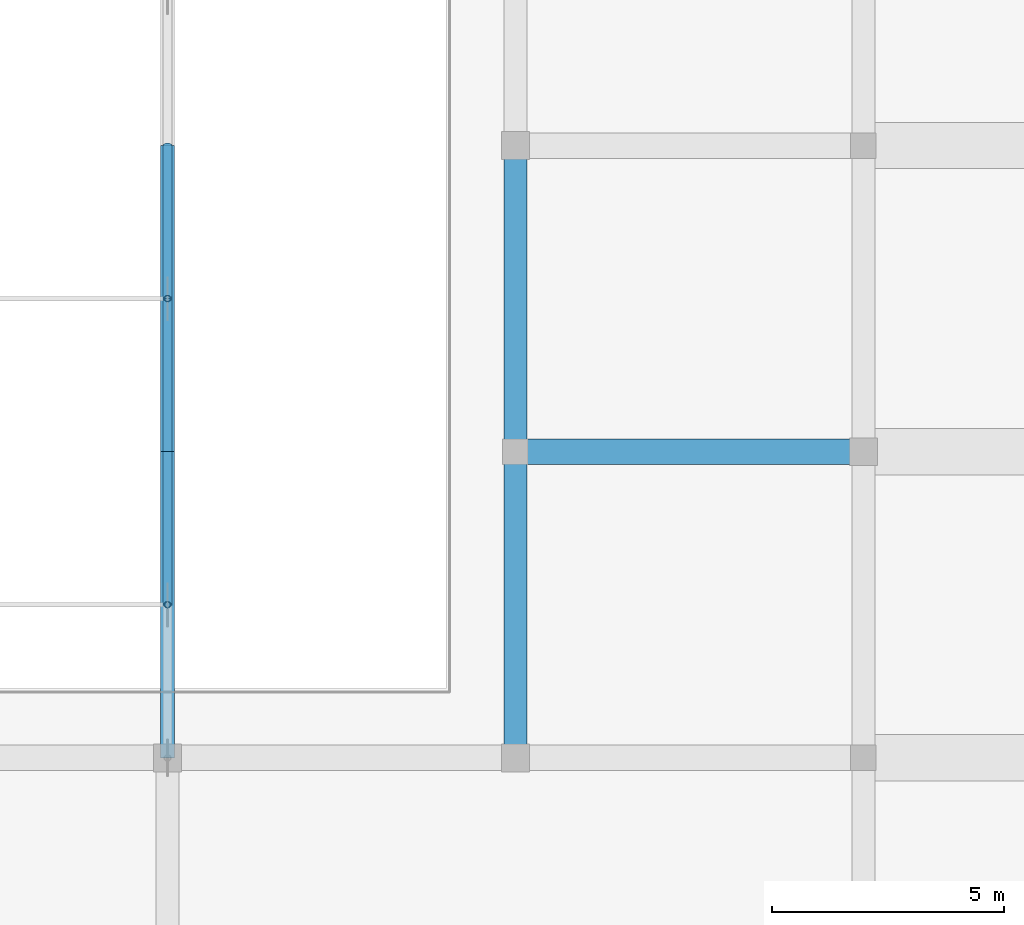
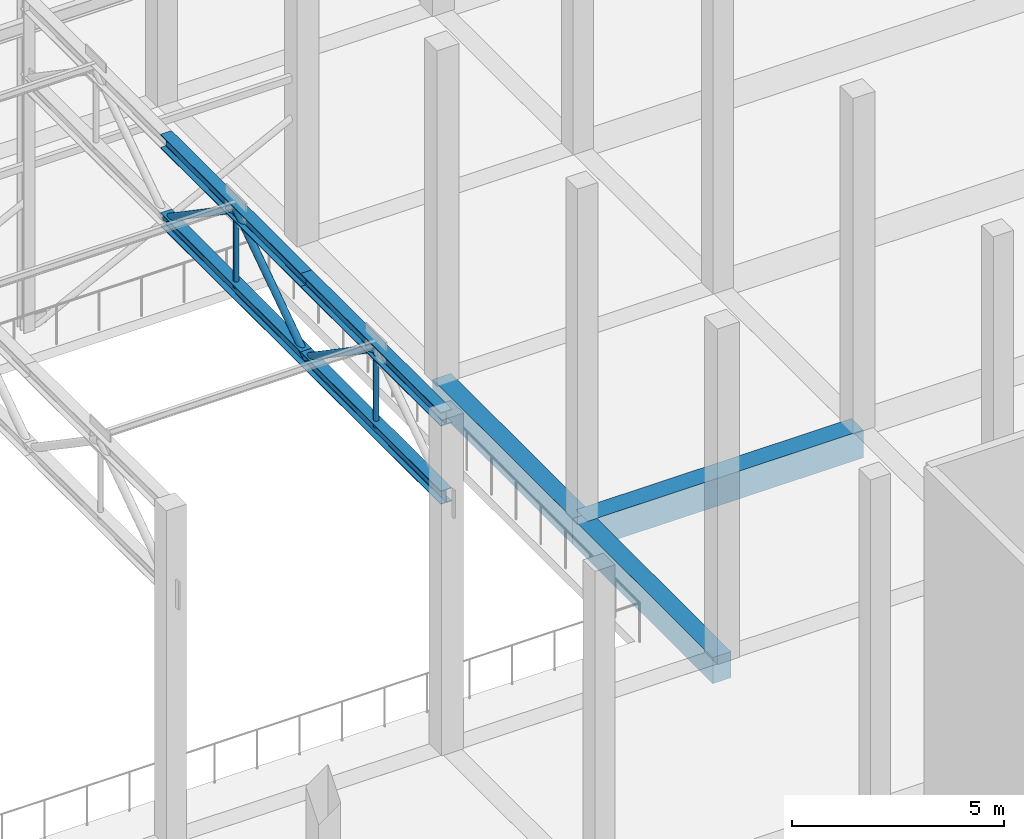
# One storey, part 44 of 80: 9 members, 3 beams.
"""IFC4 building model written with IfcOpenShell, lengths in metres."""

from ifc_helpers import new_model, si_unit, direction, frame, origin, origin_2d, place, context, subcontext, project, spatial, rectangle, hollow_circle, i_section, extrude, material, material_profile, profile_set, type_object, element, save


model = new_model("IFC4")

# Units and contexts
model_context = context("Model", 3, precision=1e-05, world=origin(), true_north=direction((0.0, 1.0)))
body_context = subcontext(model_context, "Body", "Model", "MODEL_VIEW")
ifc_project = project(units=[si_unit("LENGTHUNIT", "METRE"), si_unit("AREAUNIT", "SQUARE_METRE"), si_unit("VOLUMEUNIT", "CUBIC_METRE"), si_unit("PLANEANGLEUNIT", "RADIAN"), si_unit("MASSUNIT", "GRAM", prefix="KILO")], contexts=[model_context])

# Site, building, storey
site_placement = place(None, origin())
site = spatial("IfcSite", under=ifc_project, at=site_placement, CompositionType="ELEMENT")
building_placement = place(site_placement, origin())
building = spatial("IfcBuilding", under=site, at=building_placement, Name="Akrevak Sports Hall", CompositionType="ELEMENT")
storey_placement = place(building_placement, frame((0.0, 0.0, 14.0)))
storey = spatial("IfcBuildingStorey", under=building, at=storey_placement, Name="L03", CompositionType="ELEMENT", Elevation=14.0)

# Beams
ifc_material_1 = material(Name="Concrete C40/50", Category="concrete")
ifc_material_profile_1 = material_profile(ifc_material_1, rectangle(XDim=0.5, YDim=0.75, at=origin_2d()), Name="BM 500x750", Category="concrete")
ifc_profile_set_1 = profile_set([ifc_material_profile_1], Name="Concrete C40/50")
beam_type_1 = type_object("IfcBeamType", Name="STR-BM-RC500x750", PredefinedType="BEAM", material=ifc_profile_set_1)
beam_1_placement = place(storey_placement, frame((138.0, 28.800048828125, -0.375), z_axis=(0.0, 1.0, 0.0), x_axis=(-1.0, 0.0, 0.0)))
element("IfcBeam", 1, at=beam_1_placement, inside=storey, type_object=beam_type_1, Name="Girder 19/E-F (L03)", PredefinedType="BEAM", context=body_context, shape_type="SweptSolid", body=[
    extrude(rectangle(XDim=0.5, YDim=0.75, at=origin_2d()), origin(), (0.0, 0.0, 1.0), 6.599853515625),
])
beam_2_placement = place(storey_placement, frame((138.0, 35.39990234375, -0.375), z_axis=(0.0, 1.0, 0.0), x_axis=(-1.0, 0.0, 0.0)))
element("IfcBeam", 2, at=beam_2_placement, inside=storey, type_object=beam_type_1, Name="Girder 19/F-G (L03)", PredefinedType="BEAM", context=body_context, shape_type="SweptSolid", body=[
    extrude(rectangle(XDim=0.5, YDim=0.75, at=origin_2d()), origin(), (0.0, 0.0, 1.0), 6.60009765625),
])
ifc_material_profile_2 = material_profile(ifc_material_1, rectangle(XDim=0.550048828125, YDim=0.800048828125, at=origin_2d()), Name="BM 550x800", Category="concrete")
ifc_profile_set_2 = profile_set([ifc_material_profile_2], Name="Concrete C40/50")
beam_type_2 = type_object("IfcBeamType", Name="STR-BM-RC550x800", PredefinedType="BEAM", material=ifc_profile_set_2)
beam_3_placement = place(storey_placement, frame((138.0, 35.39990234375, -0.39990234375), z_axis=(1.0, 0.0, 0.0), x_axis=(0.0, 1.0, 0.0)))
element("IfcBeam", 3, at=beam_3_placement, inside=storey, type_object=beam_type_2, Name="Girder F/19-20 (L03)", PredefinedType="BEAM", context=body_context, shape_type="SweptSolid", body=[
    extrude(rectangle(XDim=0.550048828125, YDim=0.800048828125, at=origin_2d()), origin(), (0.0, 0.0, 1.0), 7.5),
])

# Members
ifc_material_2 = material(Name="Steel S355", Category="steel")
ifc_material_profile_3 = material_profile(ifc_material_2, hollow_circle(Radius=0.06982421875, WallThickness=0.008056640625, at=origin_2d()), Name="CHS 139.7x8", Category="steel")
ifc_profile_set_3 = profile_set([ifc_material_profile_3], Name="Steel S355")
member_type_1 = type_object("IfcMemberType", Name="STR-MEM-BRACE-CHS139", PredefinedType="BRACE", material=ifc_profile_set_3)
for number, where, z_axis, x_axis, name in (
    (4, (130.5, 32.10009765625, 7.18994140625), (0.0, 0.0, 1.0), (1.0, 0.0, 0.0), "Roof Truss 4 Web Post 1"),
    (5, (130.5, 38.699951171875, 7.18994140625), (0.0, 0.0, 1.0), (1.0, 0.0, 0.0), "Roof Truss 4 Web Post 2"),
):
    element("IfcMember", number, at=place(storey_placement, frame(where, z_axis=z_axis, x_axis=x_axis)), inside=storey, type_object=member_type_1, Name=name, PredefinedType="BRACE", context=body_context, shape_type="SweptSolid", body=[
        extrude(hollow_circle(Radius=0.06982421875, WallThickness=0.008056640625, at=origin_2d()), origin(), (0.0, 0.0, 1.0), 2.25),
    ])
ifc_material_profile_4 = material_profile(ifc_material_2, hollow_circle(Radius=0.096923828125, WallThickness=0.010009765625, at=origin_2d()), Name="CHS 193.7x10", Category="steel")
ifc_profile_set_4 = profile_set([ifc_material_profile_4], Name="Steel S355")
member_type_2 = type_object("IfcMemberType", Name="STR-MEM-BRACE-CHS193", PredefinedType="BRACE", material=ifc_profile_set_4)
member_1_placement = place(storey_placement, frame((130.5, 32.10009765625, 9.43994140625), z_axis=(0.0, 0.826211823288, -0.56335958593), x_axis=(-1.0, 0.0, 0.0)))
element("IfcMember", 6, at=member_1_placement, inside=storey, type_object=member_type_2, Name="Roof Truss 4 Web Diagonal 1B", PredefinedType="BRACE", context=body_context, shape_type="SweptSolid", body=[
    extrude(hollow_circle(Radius=0.096923828125, WallThickness=0.010009765625, at=origin_2d()), origin(), (0.0, 0.0, 1.0), 3.993896484375),
])
for number, where, z_axis, x_axis, name in (
    (7, (130.5, 35.39990234375, 7.18994140625), (0.0, 0.826231222393, 0.56333113454), (-1.0, 0.0, 0.0), "Roof Truss 4 Web Diagonal 2A"),
    (8, (130.5, 38.699951171875, 9.43994140625), (0.0, 0.826231222393, -0.56333113454), (-1.0, 0.0, 0.0), "Roof Truss 4 Web Diagonal 2B"),
):
    element("IfcMember", number, at=place(storey_placement, frame(where, z_axis=z_axis, x_axis=x_axis)), inside=storey, type_object=member_type_2, Name=name, PredefinedType="BRACE", context=body_context, shape_type="SweptSolid", body=[
        extrude(hollow_circle(Radius=0.096923828125, WallThickness=0.010009765625, at=origin_2d()), origin(), (0.0, 0.0, 1.0), 3.994140625),
    ])
ifc_material_profile_5 = material_profile(ifc_material_2, i_section(OverallWidth=0.300048828125, OverallDepth=0.389892578125, WebThickness=0.010986328125, FlangeThickness=0.01904296875, FilletRadius=0.027099609375, at=origin_2d()), Name="HEA 400", Category="steel")
ifc_profile_set_5 = profile_set([ifc_material_profile_5], Name="Steel S355")
member_type_3 = type_object("IfcMemberType", Name="STR-MEM-CHORD-HEA400", PredefinedType="CHORD", material=ifc_profile_set_5)
member_2_placement = place(storey_placement, frame((130.5, 28.800048828125, 7.18994140625), z_axis=(0.0, 1.0, 0.0), x_axis=(-1.0, 0.0, 0.0)))
element("IfcMember", 9, at=member_2_placement, inside=storey, type_object=member_type_3, Name="Roof Truss 4 Bottom Chord 1", PredefinedType="CHORD", context=body_context, shape_type="SweptSolid", body=[
    extrude(i_section(OverallWidth=0.300048828125, OverallDepth=0.389892578125, WebThickness=0.010986328125, FlangeThickness=0.01904296875, FilletRadius=0.027099609375, at=origin_2d()), origin(), (0.0, 0.0, 1.0), 6.599853515625),
])
member_3_placement = place(storey_placement, frame((130.5, 35.39990234375, 7.18994140625), z_axis=(0.0, 1.0, 0.0), x_axis=(-1.0, 0.0, 0.0)))
element("IfcMember", 10, at=member_3_placement, inside=storey, type_object=member_type_3, Name="Roof Truss 4 Bottom Chord 2", PredefinedType="CHORD", context=body_context, shape_type="SweptSolid", body=[
    extrude(i_section(OverallWidth=0.300048828125, OverallDepth=0.389892578125, WebThickness=0.010986328125, FlangeThickness=0.01904296875, FilletRadius=0.027099609375, at=origin_2d()), origin(), (0.0, 0.0, 1.0), 6.60009765625),
])
ifc_material_profile_6 = material_profile(ifc_material_2, i_section(OverallWidth=0.300048828125, OverallDepth=0.39990234375, WebThickness=0.013427734375, FlangeThickness=0.02392578125, FilletRadius=0.027099609375, at=origin_2d()), Name="HEB 400", Category="steel")
ifc_profile_set_6 = profile_set([ifc_material_profile_6], Name="Steel S355")
member_type_4 = type_object("IfcMemberType", Name="STR-MEM-CHORD-HEB400", PredefinedType="CHORD", material=ifc_profile_set_6)
member_4_placement = place(storey_placement, frame((130.5, 28.800048828125, 9.43994140625), z_axis=(0.0, 1.0, 0.0), x_axis=(-1.0, 0.0, 0.0)))
element("IfcMember", 11, at=member_4_placement, inside=storey, type_object=member_type_4, Name="Roof Truss 4 Top Chord 1", PredefinedType="CHORD", context=body_context, shape_type="SweptSolid", body=[
    extrude(i_section(OverallWidth=0.300048828125, OverallDepth=0.39990234375, WebThickness=0.013427734375, FlangeThickness=0.02392578125, FilletRadius=0.027099609375, at=origin_2d()), origin(), (0.0, 0.0, 1.0), 6.599853515625),
])
member_5_placement = place(storey_placement, frame((130.5, 35.39990234375, 9.43994140625), z_axis=(0.0, 1.0, 0.0), x_axis=(-1.0, 0.0, 0.0)))
element("IfcMember", 12, at=member_5_placement, inside=storey, type_object=member_type_4, Name="Roof Truss 4 Top Chord 2", PredefinedType="CHORD", context=body_context, shape_type="SweptSolid", body=[
    extrude(i_section(OverallWidth=0.300048828125, OverallDepth=0.39990234375, WebThickness=0.013427734375, FlangeThickness=0.02392578125, FilletRadius=0.027099609375, at=origin_2d()), origin(), (0.0, 0.0, 1.0), 6.60009765625),
])

save(model, "model.ifc")
